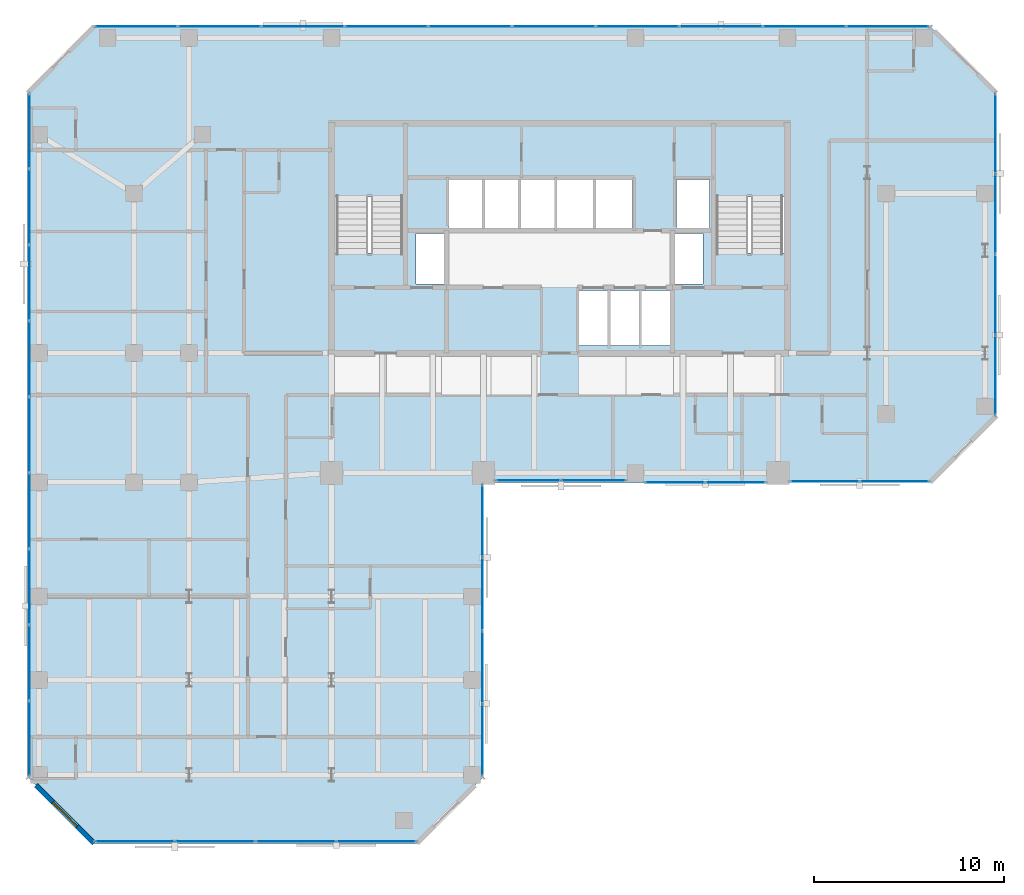
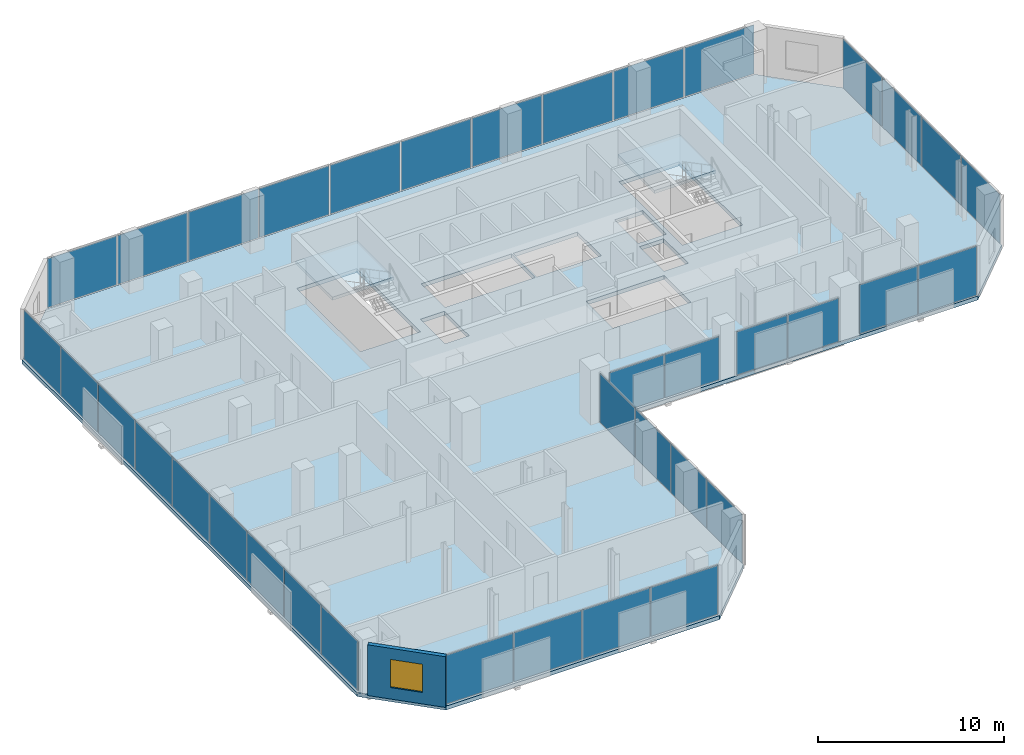
# One storey, part 27 of 34: 37 plates, 3 slabs, 1 wall, 1 window, 1 opening, 10 elements without a shape of their own.
"""IFC4 building model written with IfcOpenShell, lengths in metres."""

from ifc_helpers import new_model, si_unit, direction, frame, frame_2d, origin, origin_2d, place, context, subcontext, project, spatial, polyline, rectangle, outline, extrude, material, layer, layer_set, type_object, element, fill, aggregate, save


model = new_model("IFC4")

# Units and contexts
model_context = context("Model", 3, precision=1e-05, world=origin(), true_north=direction((0.0, 1.0)))
body_context = subcontext(model_context, "Body", "Model", "MODEL_VIEW")
ifc_project = project(units=[si_unit("LENGTHUNIT", "METRE"), si_unit("AREAUNIT", "SQUARE_METRE"), si_unit("VOLUMEUNIT", "CUBIC_METRE"), si_unit("PLANEANGLEUNIT", "RADIAN"), si_unit("MASSUNIT", "GRAM", prefix="KILO")], contexts=[model_context])

# Site, building, storey
site_placement = place(None, origin())
site = spatial("IfcSite", under=ifc_project, at=site_placement, CompositionType="ELEMENT")
building_placement = place(site_placement, origin())
building = spatial("IfcBuilding", under=site, at=building_placement, Name="Catumbela Crestline Tower", CompositionType="ELEMENT")
storey_placement = place(building_placement, frame((0.0, 0.0, 115.2)))
storey = spatial("IfcBuildingStorey", under=building, at=storey_placement, Name="L29", CompositionType="ELEMENT", Elevation=115.2)

# Curtain wall, plates
ifc_material_1 = material(Name="Aluminium alloy AW-6060-T66", Category="aluminium")
ifc_layer_1 = layer(ifc_material_1, 0.18, Name="Aluminium alloy AW-6060-T66")
ifc_layer_set_1 = layer_set([ifc_layer_1], Name="Aluminium alloy AW-6060-T66")
curtain_wall_type = type_object("IfcCurtainWallType", Name="CWU-Z2", PredefinedType="USERDEFINED", material=ifc_layer_set_1)
curtain_wall_1_placement = place(storey_placement, origin())
curtain_wall_1 = element("IfcCurtainWall", 1, at=curtain_wall_1_placement, inside=storey, type_object=curtain_wall_type, Name="L29 Unitised Curtain Wall CW-L29-E0S1", ObjectType="UNITISED", PredefinedType="USERDEFINED")
ifc_material_2 = material(Name="Low-E laminated solar-control double glazing", Category="glass")
ifc_layer_2 = layer(ifc_material_2, 0.036, Name="Low-E laminated solar-control double glazing")
ifc_layer_set_2 = layer_set([ifc_layer_2], Name="Low-E laminated solar-control double glazing")
plate_type = type_object("IfcPlateType", Name="PNL-GLZ-Z2", PredefinedType="CURTAIN_PANEL", material=ifc_layer_set_2)
plate_1_placement = place(storey_placement, frame((5.6412, 5.1, 0.06), z_axis=(0.0, 0.0, 1.0), x_axis=(1.0, 0.0, 0.0)))
plate_1 = element("IfcPlate", 2, at=plate_1_placement, type_object=plate_type, Name="CWU-Z2 panel 1.1", PredefinedType="CURTAIN_PANEL", context=body_context, shape_type="SweptSolid", body=[
    extrude(rectangle(XDim=4.1525, YDim=0.034, at=origin_2d()), origin(), (0.0, 0.0, 1.0), 3.21),
])
plate_2_placement = place(storey_placement, frame((9.875, 5.1, 0.06), z_axis=(0.0, 0.0, 1.0), x_axis=(1.0, 0.0, 0.0)))
plate_2 = element("IfcPlate", 3, at=plate_2_placement, type_object=plate_type, Name="CWU-Z2 panel 2.1", PredefinedType="CURTAIN_PANEL", context=body_context, shape_type="SweptSolid", body=[
    extrude(rectangle(XDim=4.185, YDim=0.034, at=origin_2d()), origin(), (0.0, 0.0, 1.0), 3.21),
])
plate_3_placement = place(storey_placement, frame((14.125, 5.1, 0.06), z_axis=(0.0, 0.0, 1.0), x_axis=(1.0, 0.0, 0.0)))
plate_3 = element("IfcPlate", 4, at=plate_3_placement, type_object=plate_type, Name="CWU-Z2 panel 3.1", PredefinedType="CURTAIN_PANEL", context=body_context, shape_type="SweptSolid", body=[
    extrude(rectangle(XDim=4.185, YDim=0.034, at=origin_2d()), origin(), (0.0, 0.0, 1.0), 3.21),
])
plate_4_placement = place(storey_placement, frame((18.3588, 5.1, 0.06), z_axis=(0.0, 0.0, 1.0), x_axis=(1.0, 0.0, 0.0)))
plate_4 = element("IfcPlate", 5, at=plate_4_placement, type_object=plate_type, Name="CWU-Z2 panel 4.1", PredefinedType="CURTAIN_PANEL", context=body_context, shape_type="SweptSolid", body=[
    extrude(rectangle(XDim=4.1525, YDim=0.034, at=origin_2d()), origin(), (0.0, 0.0, 1.0), 3.21),
])
aggregate(curtain_wall_1, [plate_1, plate_2, plate_3, plate_4])

curtain_wall_2_placement = place(storey_placement, origin())
curtain_wall_2 = element("IfcCurtainWall", 6, at=curtain_wall_2_placement, inside=storey, type_object=curtain_wall_type, Name="L29 Unitised Curtain Wall CW-L29-E2S1", ObjectType="UNITISED", PredefinedType="USERDEFINED")
plate_5_placement = place(storey_placement, frame((23.95, 10.4412, 0.06), z_axis=(0.0, 0.0, 1.0), x_axis=(0.0, 1.0, 0.0)))
plate_5 = element("IfcPlate", 7, at=plate_5_placement, type_object=plate_type, Name="CWU-Z2 panel 1.1", PredefinedType="CURTAIN_PANEL", context=body_context, shape_type="SweptSolid", body=[
    extrude(rectangle(XDim=3.7525, YDim=0.034, at=origin_2d()), origin(), (0.0, 0.0, 1.0), 3.21),
])
plate_6_placement = place(storey_placement, frame((23.95, 14.275, 0.06), z_axis=(0.0, 0.0, 1.0), x_axis=(0.0, 1.0, 0.0)))
plate_6 = element("IfcPlate", 8, at=plate_6_placement, type_object=plate_type, Name="CWU-Z2 panel 2.1", PredefinedType="CURTAIN_PANEL", context=body_context, shape_type="SweptSolid", body=[
    extrude(rectangle(XDim=3.785, YDim=0.034, at=origin_2d()), origin(), (0.0, 0.0, 1.0), 3.21),
])
plate_7_placement = place(storey_placement, frame((23.95, 18.125, 0.06), z_axis=(0.0, 0.0, 1.0), x_axis=(0.0, 1.0, 0.0)))
plate_7 = element("IfcPlate", 9, at=plate_7_placement, type_object=plate_type, Name="CWU-Z2 panel 3.1", PredefinedType="CURTAIN_PANEL", context=body_context, shape_type="SweptSolid", body=[
    extrude(rectangle(XDim=3.785, YDim=0.034, at=origin_2d()), origin(), (0.0, 0.0, 1.0), 3.21),
])
plate_8_placement = place(storey_placement, frame((23.95, 21.9587, 0.06), z_axis=(0.0, 0.0, 1.0), x_axis=(0.0, 1.0, 0.0)))
plate_8 = element("IfcPlate", 10, at=plate_8_placement, type_object=plate_type, Name="CWU-Z2 panel 4.1", PredefinedType="CURTAIN_PANEL", context=body_context, shape_type="SweptSolid", body=[
    extrude(rectangle(XDim=3.7525, YDim=0.034, at=origin_2d()), origin(), (0.0, 0.0, 1.0), 3.21),
])
aggregate(curtain_wall_2, [plate_5, plate_6, plate_7, plate_8])

curtain_wall_3_placement = place(storey_placement, origin())
curtain_wall_3 = element("IfcCurtainWall", 11, at=curtain_wall_3_placement, inside=storey, type_object=curtain_wall_type, Name="L29 Unitised Curtain Wall CW-L29-E3S1", ObjectType="UNITISED", PredefinedType="USERDEFINED")
plate_9_placement = place(storey_placement, frame((26.3538, 24.1, 0.06), z_axis=(0.0, 0.0, 1.0), x_axis=(1.0, 0.0, 0.0)))
plate_9 = element("IfcPlate", 12, at=plate_9_placement, type_object=plate_type, Name="CWU-Z2 panel 1.1", PredefinedType="CURTAIN_PANEL", context=body_context, shape_type="SweptSolid", body=[
    extrude(rectangle(XDim=3.3775, YDim=0.034, at=origin_2d()), origin(), (0.0, 0.0, 1.0), 2.84),
])
plate_10_placement = place(storey_placement, frame((29.7962, 24.1, 0.06), z_axis=(0.0, 0.0, 1.0), x_axis=(1.0, 0.0, 0.0)))
plate_10 = element("IfcPlate", 13, at=plate_10_placement, type_object=plate_type, Name="CWU-Z2 panel 2.1", PredefinedType="CURTAIN_PANEL", context=body_context, shape_type="SweptSolid", body=[
    extrude(rectangle(XDim=3.3775, YDim=0.034, at=origin_2d()), origin(), (0.0, 0.0, 1.0), 2.84),
])
aggregate(curtain_wall_3, [plate_9, plate_10])

curtain_wall_4_placement = place(storey_placement, origin())
curtain_wall_4 = element("IfcCurtainWall", 14, at=curtain_wall_4_placement, inside=storey, type_object=curtain_wall_type, Name="L29 Unitised Curtain Wall CW-L29-E3S2", ObjectType="UNITISED", PredefinedType="USERDEFINED")
plate_11_placement = place(storey_placement, frame((34.0788, 24.0, 0.06), z_axis=(0.0, 0.0, 1.0), x_axis=(1.0, 0.0, 0.0)))
plate_11 = element("IfcPlate", 15, at=plate_11_placement, type_object=plate_type, Name="CWU-Z2 panel 1.1", PredefinedType="CURTAIN_PANEL", context=body_context, shape_type="SweptSolid", body=[
    extrude(rectangle(XDim=3.1275, YDim=0.034, at=origin_2d()), origin(), (0.0, 0.0, 1.0), 2.84),
])
plate_12_placement = place(storey_placement, frame((37.2712, 24.0, 0.06), z_axis=(0.0, 0.0, 1.0), x_axis=(1.0, 0.0, 0.0)))
plate_12 = element("IfcPlate", 16, at=plate_12_placement, type_object=plate_type, Name="CWU-Z2 panel 2.1", PredefinedType="CURTAIN_PANEL", context=body_context, shape_type="SweptSolid", body=[
    extrude(rectangle(XDim=3.1275, YDim=0.034, at=origin_2d()), origin(), (0.0, 0.0, 1.0), 2.84),
])
aggregate(curtain_wall_4, [plate_11, plate_12])

curtain_wall_5_placement = place(storey_placement, origin())
curtain_wall_5 = element("IfcCurtainWall", 17, at=curtain_wall_5_placement, inside=storey, type_object=curtain_wall_type, Name="L29 Unitised Curtain Wall CW-L29-E3S3", ObjectType="UNITISED", PredefinedType="USERDEFINED")
plate_13_placement = place(storey_placement, frame((41.9662, 24.05, 0.06), z_axis=(0.0, 0.0, 1.0), x_axis=(1.0, 0.0, 0.0)))
plate_13 = element("IfcPlate", 18, at=plate_13_placement, type_object=plate_type, Name="CWU-Z2 panel 1.1", PredefinedType="CURTAIN_PANEL", context=body_context, shape_type="SweptSolid", body=[
    extrude(rectangle(XDim=3.6025, YDim=0.034, at=origin_2d()), origin(), (0.0, 0.0, 1.0), 3.21),
])
plate_14_placement = place(storey_placement, frame((45.6338, 24.05, 0.06), z_axis=(0.0, 0.0, 1.0), x_axis=(1.0, 0.0, 0.0)))
plate_14 = element("IfcPlate", 19, at=plate_14_placement, type_object=plate_type, Name="CWU-Z2 panel 2.1", PredefinedType="CURTAIN_PANEL", context=body_context, shape_type="SweptSolid", body=[
    extrude(rectangle(XDim=3.6025, YDim=0.034, at=origin_2d()), origin(), (0.0, 0.0, 1.0), 3.21),
])
aggregate(curtain_wall_5, [plate_13, plate_14])

curtain_wall_6_placement = place(storey_placement, origin())
curtain_wall_6 = element("IfcCurtainWall", 20, at=curtain_wall_6_placement, inside=storey, type_object=curtain_wall_type, Name="L29 Unitised Curtain Wall CW-L29-E5S1", ObjectType="UNITISED", PredefinedType="USERDEFINED")
plate_15_placement = place(storey_placement, frame((50.95, 29.6412, 0.06), z_axis=(0.0, 0.0, 1.0), x_axis=(0.0, 1.0, 0.0)))
plate_15 = element("IfcPlate", 21, at=plate_15_placement, type_object=plate_type, Name="CWU-Z2 panel 1.1", PredefinedType="CURTAIN_PANEL", context=body_context, shape_type="SweptSolid", body=[
    extrude(rectangle(XDim=4.1525, YDim=0.034, at=origin_2d()), origin(), (0.0, 0.0, 1.0), 3.21),
])
plate_16_placement = place(storey_placement, frame((50.95, 33.875, 0.06), z_axis=(0.0, 0.0, 1.0), x_axis=(0.0, 1.0, 0.0)))
plate_16 = element("IfcPlate", 22, at=plate_16_placement, type_object=plate_type, Name="CWU-Z2 panel 2.1", PredefinedType="CURTAIN_PANEL", context=body_context, shape_type="SweptSolid", body=[
    extrude(rectangle(XDim=4.185, YDim=0.034, at=origin_2d()), origin(), (0.0, 0.0, 1.0), 3.21),
])
plate_17_placement = place(storey_placement, frame((50.95, 38.125, 0.06), z_axis=(0.0, 0.0, 1.0), x_axis=(0.0, 1.0, 0.0)))
plate_17 = element("IfcPlate", 23, at=plate_17_placement, type_object=plate_type, Name="CWU-Z2 panel 3.1", PredefinedType="CURTAIN_PANEL", context=body_context, shape_type="SweptSolid", body=[
    extrude(rectangle(XDim=4.185, YDim=0.034, at=origin_2d()), origin(), (0.0, 0.0, 1.0), 3.21),
])
plate_18_placement = place(storey_placement, frame((50.95, 42.3588, 0.06), z_axis=(0.0, 0.0, 1.0), x_axis=(0.0, 1.0, 0.0)))
plate_18 = element("IfcPlate", 24, at=plate_18_placement, type_object=plate_type, Name="CWU-Z2 panel 4.1", PredefinedType="CURTAIN_PANEL", context=body_context, shape_type="SweptSolid", body=[
    extrude(rectangle(XDim=4.1525, YDim=0.034, at=origin_2d()), origin(), (0.0, 0.0, 1.0), 3.21),
])
aggregate(curtain_wall_6, [plate_15, plate_16, plate_17, plate_18])

curtain_wall_7_placement = place(storey_placement, origin())
curtain_wall_7 = element("IfcCurtainWall", 25, at=curtain_wall_7_placement, inside=storey, type_object=curtain_wall_type, Name="L29 Unitised Curtain Wall CW-L29-E7S1", ObjectType="UNITISED", PredefinedType="USERDEFINED")
plate_19_placement = place(storey_placement, frame((45.2838, 48.0, 0.06), z_axis=(0.0, 0.0, 1.0), x_axis=(-1.0, 0.0, 0.0)))
plate_19 = element("IfcPlate", 26, at=plate_19_placement, type_object=plate_type, Name="CWU-Z2 panel 1.1", PredefinedType="CURTAIN_PANEL", context=body_context, shape_type="SweptSolid", body=[
    extrude(rectangle(XDim=4.3025, YDim=0.034, at=origin_2d()), origin(), (0.0, 0.0, 1.0), 3.21),
])
plate_20_placement = place(storey_placement, frame((40.9, 48.0, 0.06), z_axis=(0.0, 0.0, 1.0), x_axis=(-1.0, 0.0, 0.0)))
plate_20 = element("IfcPlate", 27, at=plate_20_placement, type_object=plate_type, Name="CWU-Z2 panel 2.1", PredefinedType="CURTAIN_PANEL", context=body_context, shape_type="SweptSolid", body=[
    extrude(rectangle(XDim=4.335, YDim=0.034, at=origin_2d()), origin(), (0.0, 0.0, 1.0), 3.21),
])
plate_21_placement = place(storey_placement, frame((36.5, 48.0, 0.06), z_axis=(0.0, 0.0, 1.0), x_axis=(-1.0, 0.0, 0.0)))
plate_21 = element("IfcPlate", 28, at=plate_21_placement, type_object=plate_type, Name="CWU-Z2 panel 3.1", PredefinedType="CURTAIN_PANEL", context=body_context, shape_type="SweptSolid", body=[
    extrude(rectangle(XDim=4.335, YDim=0.034, at=origin_2d()), origin(), (0.0, 0.0, 1.0), 3.21),
])
plate_22_placement = place(storey_placement, frame((32.1, 48.0, 0.06), z_axis=(0.0, 0.0, 1.0), x_axis=(-1.0, 0.0, 0.0)))
plate_22 = element("IfcPlate", 29, at=plate_22_placement, type_object=plate_type, Name="CWU-Z2 panel 4.1", PredefinedType="CURTAIN_PANEL", context=body_context, shape_type="SweptSolid", body=[
    extrude(rectangle(XDim=4.335, YDim=0.034, at=origin_2d()), origin(), (0.0, 0.0, 1.0), 3.21),
])
plate_23_placement = place(storey_placement, frame((27.7, 48.0, 0.06), z_axis=(0.0, 0.0, 1.0), x_axis=(-1.0, 0.0, 0.0)))
plate_23 = element("IfcPlate", 30, at=plate_23_placement, type_object=plate_type, Name="CWU-Z2 panel 5.1", PredefinedType="CURTAIN_PANEL", context=body_context, shape_type="SweptSolid", body=[
    extrude(rectangle(XDim=4.335, YDim=0.034, at=origin_2d()), origin(), (0.0, 0.0, 1.0), 3.21),
])
plate_24_placement = place(storey_placement, frame((23.3, 48.0, 0.06), z_axis=(0.0, 0.0, 1.0), x_axis=(-1.0, 0.0, 0.0)))
plate_24 = element("IfcPlate", 31, at=plate_24_placement, type_object=plate_type, Name="CWU-Z2 panel 6.1", PredefinedType="CURTAIN_PANEL", context=body_context, shape_type="SweptSolid", body=[
    extrude(rectangle(XDim=4.335, YDim=0.034, at=origin_2d()), origin(), (0.0, 0.0, 1.0), 3.21),
])
plate_25_placement = place(storey_placement, frame((18.9, 48.0, 0.06), z_axis=(0.0, 0.0, 1.0), x_axis=(-1.0, 0.0, 0.0)))
plate_25 = element("IfcPlate", 32, at=plate_25_placement, type_object=plate_type, Name="CWU-Z2 panel 7.1", PredefinedType="CURTAIN_PANEL", context=body_context, shape_type="SweptSolid", body=[
    extrude(rectangle(XDim=4.335, YDim=0.034, at=origin_2d()), origin(), (0.0, 0.0, 1.0), 3.21),
])
plate_26_placement = place(storey_placement, frame((14.5, 48.0, 0.06), z_axis=(0.0, 0.0, 1.0), x_axis=(-1.0, 0.0, 0.0)))
plate_26 = element("IfcPlate", 33, at=plate_26_placement, type_object=plate_type, Name="CWU-Z2 panel 8.1", PredefinedType="CURTAIN_PANEL", context=body_context, shape_type="SweptSolid", body=[
    extrude(rectangle(XDim=4.335, YDim=0.034, at=origin_2d()), origin(), (0.0, 0.0, 1.0), 3.21),
])
plate_27_placement = place(storey_placement, frame((10.1, 48.0, 0.06), z_axis=(0.0, 0.0, 1.0), x_axis=(-1.0, 0.0, 0.0)))
plate_27 = element("IfcPlate", 34, at=plate_27_placement, type_object=plate_type, Name="CWU-Z2 panel 9.1", PredefinedType="CURTAIN_PANEL", context=body_context, shape_type="SweptSolid", body=[
    extrude(rectangle(XDim=4.335, YDim=0.034, at=origin_2d()), origin(), (0.0, 0.0, 1.0), 3.21),
])
plate_28_placement = place(storey_placement, frame((5.7162, 48.0, 0.06), z_axis=(0.0, 0.0, 1.0), x_axis=(-1.0, 0.0, 0.0)))
plate_28 = element("IfcPlate", 35, at=plate_28_placement, type_object=plate_type, Name="CWU-Z2 panel 10.1", PredefinedType="CURTAIN_PANEL", context=body_context, shape_type="SweptSolid", body=[
    extrude(rectangle(XDim=4.3025, YDim=0.034, at=origin_2d()), origin(), (0.0, 0.0, 1.0), 3.21),
])
aggregate(curtain_wall_7, [plate_19, plate_20, plate_21, plate_22, plate_23, plate_24, plate_25, plate_26, plate_27, plate_28])

curtain_wall_8_placement = place(storey_placement, origin())
curtain_wall_8 = element("IfcCurtainWall", 36, at=curtain_wall_8_placement, inside=storey, type_object=curtain_wall_type, Name="L29 Unitised Curtain Wall CW-L29-E9S1", ObjectType="UNITISED", PredefinedType="USERDEFINED")
plate_29_placement = place(storey_placement, frame((0.1, 42.4838, 0.06), z_axis=(0.0, 0.0, 1.0), x_axis=(0.0, -1.0, 0.0)))
plate_29 = element("IfcPlate", 37, at=plate_29_placement, type_object=plate_type, Name="CWU-Z2 panel 1.1", PredefinedType="CURTAIN_PANEL", context=body_context, shape_type="SweptSolid", body=[
    extrude(rectangle(XDim=3.9025, YDim=0.034, at=origin_2d()), origin(), (0.0, 0.0, 1.0), 3.21),
])
plate_30_placement = place(storey_placement, frame((0.1, 38.5, 0.06), z_axis=(0.0, 0.0, 1.0), x_axis=(0.0, -1.0, 0.0)))
plate_30 = element("IfcPlate", 38, at=plate_30_placement, type_object=plate_type, Name="CWU-Z2 panel 2.1", PredefinedType="CURTAIN_PANEL", context=body_context, shape_type="SweptSolid", body=[
    extrude(rectangle(XDim=3.935, YDim=0.034, at=origin_2d()), origin(), (0.0, 0.0, 1.0), 3.21),
])
plate_31_placement = place(storey_placement, frame((0.1, 34.5, 0.06), z_axis=(0.0, 0.0, 1.0), x_axis=(0.0, -1.0, 0.0)))
plate_31 = element("IfcPlate", 39, at=plate_31_placement, type_object=plate_type, Name="CWU-Z2 panel 3.1", PredefinedType="CURTAIN_PANEL", context=body_context, shape_type="SweptSolid", body=[
    extrude(rectangle(XDim=3.935, YDim=0.034, at=origin_2d()), origin(), (0.0, 0.0, 1.0), 3.21),
])
plate_32_placement = place(storey_placement, frame((0.1, 30.5, 0.06), z_axis=(0.0, 0.0, 1.0), x_axis=(0.0, -1.0, 0.0)))
plate_32 = element("IfcPlate", 40, at=plate_32_placement, type_object=plate_type, Name="CWU-Z2 panel 4.1", PredefinedType="CURTAIN_PANEL", context=body_context, shape_type="SweptSolid", body=[
    extrude(rectangle(XDim=3.935, YDim=0.034, at=origin_2d()), origin(), (0.0, 0.0, 1.0), 3.21),
])
plate_33_placement = place(storey_placement, frame((0.1, 26.5, 0.06), z_axis=(0.0, 0.0, 1.0), x_axis=(0.0, -1.0, 0.0)))
plate_33 = element("IfcPlate", 41, at=plate_33_placement, type_object=plate_type, Name="CWU-Z2 panel 5.1", PredefinedType="CURTAIN_PANEL", context=body_context, shape_type="SweptSolid", body=[
    extrude(rectangle(XDim=3.935, YDim=0.034, at=origin_2d()), origin(), (0.0, 0.0, 1.0), 3.21),
])
plate_34_placement = place(storey_placement, frame((0.1, 22.5, 0.06), z_axis=(0.0, 0.0, 1.0), x_axis=(0.0, -1.0, 0.0)))
plate_34 = element("IfcPlate", 42, at=plate_34_placement, type_object=plate_type, Name="CWU-Z2 panel 6.1", PredefinedType="CURTAIN_PANEL", context=body_context, shape_type="SweptSolid", body=[
    extrude(rectangle(XDim=3.935, YDim=0.034, at=origin_2d()), origin(), (0.0, 0.0, 1.0), 3.21),
])
plate_35_placement = place(storey_placement, frame((0.1, 18.5, 0.06), z_axis=(0.0, 0.0, 1.0), x_axis=(0.0, -1.0, 0.0)))
plate_35 = element("IfcPlate", 43, at=plate_35_placement, type_object=plate_type, Name="CWU-Z2 panel 7.1", PredefinedType="CURTAIN_PANEL", context=body_context, shape_type="SweptSolid", body=[
    extrude(rectangle(XDim=3.935, YDim=0.034, at=origin_2d()), origin(), (0.0, 0.0, 1.0), 3.21),
])
plate_36_placement = place(storey_placement, frame((0.1, 14.5, 0.06), z_axis=(0.0, 0.0, 1.0), x_axis=(0.0, -1.0, 0.0)))
plate_36 = element("IfcPlate", 44, at=plate_36_placement, type_object=plate_type, Name="CWU-Z2 panel 8.1", PredefinedType="CURTAIN_PANEL", context=body_context, shape_type="SweptSolid", body=[
    extrude(rectangle(XDim=3.935, YDim=0.034, at=origin_2d()), origin(), (0.0, 0.0, 1.0), 3.21),
])
plate_37_placement = place(storey_placement, frame((0.1, 10.5162, 0.06), z_axis=(0.0, 0.0, 1.0), x_axis=(0.0, -1.0, 0.0)))
plate_37 = element("IfcPlate", 45, at=plate_37_placement, type_object=plate_type, Name="CWU-Z2 panel 9.1", PredefinedType="CURTAIN_PANEL", context=body_context, shape_type="SweptSolid", body=[
    extrude(rectangle(XDim=3.9025, YDim=0.034, at=origin_2d()), origin(), (0.0, 0.0, 1.0), 3.21),
])
aggregate(curtain_wall_8, [plate_29, plate_30, plate_31, plate_32, plate_33, plate_34, plate_35, plate_36, plate_37])

# Stair, slab
ifc_material_3 = material(Name="Concrete C45/55", Category="concrete")
stair_type = type_object("IfcStairType", Name="ST-DLG", PredefinedType="HALF_TURN_STAIR", material=ifc_material_3)
stair_1_placement = place(storey_placement, origin())
stair_1 = element("IfcStair", 46, at=stair_1_placement, inside=storey, type_object=stair_type, Name="L29 West Core Pressurised Exit Stair ST-01", PredefinedType="HALF_TURN_STAIR")
ifc_layer_3 = layer(ifc_material_3, 0.2, Name="Concrete C45/55")
ifc_layer_set_3 = layer_set([ifc_layer_3], Name="Concrete C45/55")
slab_type_1 = type_object("IfcSlabType", Name="SL-LND", PredefinedType="LANDING", material=ifc_layer_set_3)
slab_1_placement = place(storey_placement, frame((0.0, 0.0, 1.6)))
slab_1 = element("IfcSlab", 47, at=slab_1_placement, type_object=slab_type_1, Name="ST-01 landing 1", PredefinedType="LANDING", context=body_context, shape_type="SweptSolid", body=[
    extrude(outline(polyline([(19.91, 39.02), (19.91, 42.96), (16.09, 42.96), (16.09, 39.02), (19.91, 39.02)])), origin(), (0.0, 0.0, 1.0), 0.2),
])
aggregate(stair_1, [slab_1])

stair_2_placement = place(storey_placement, origin())
stair_2 = element("IfcStair", 48, at=stair_2_placement, inside=storey, type_object=stair_type, Name="L29 East Core Pressurised Exit Stair ST-02", PredefinedType="HALF_TURN_STAIR")
slab_2_placement = place(storey_placement, frame((0.0, 0.0, 1.6)))
slab_2 = element("IfcSlab", 49, at=slab_2_placement, type_object=slab_type_1, Name="ST-02 landing 1", PredefinedType="LANDING", context=body_context, shape_type="SweptSolid", body=[
    extrude(outline(polyline([(39.91, 39.02), (39.91, 42.96), (36.09, 42.96), (36.09, 39.02), (39.91, 39.02)])), origin(), (0.0, 0.0, 1.0), 0.2),
])
aggregate(stair_2, [slab_2])

# Slab
ifc_layer_4 = layer(ifc_material_3, 0.26, Name="Concrete C45/55")
ifc_layer_set_4 = layer_set([ifc_layer_4], Name="Concrete C45/55")
slab_type_2 = type_object("IfcSlabType", Name="SL-260", PredefinedType="FLOOR", material=ifc_layer_set_4)
slab_3_placement = place(storey_placement, frame((0.0, 0.0, -0.26)))
element("IfcSlab", 50, at=slab_3_placement, inside=storey, type_object=slab_type_2, Name="L29 Structural Floor Slab", PredefinedType="FLOOR", context=body_context, shape_type="SweptSolid", body=[
    extrude(outline(polyline([(3.5, 5.0), (20.5, 5.0), (24.0, 8.5), (24.0, 24.0), (47.5, 24.0), (51.0, 27.5), (51.0, 44.5), (47.5, 48.0), (3.5, 48.0), (0.0, 44.5), (0.0, 8.5), (3.5, 5.0)]), holes=[polyline([(16.13, 36.08), (19.87, 36.08), (19.87, 42.92), (16.13, 42.92), (16.13, 36.08)]), polyline([(36.13, 36.08), (39.87, 36.08), (39.87, 42.92), (36.13, 42.92), (36.13, 36.08)]), polyline([(29.0, 31.2), (33.85, 31.2), (33.85, 34.1), (29.0, 34.1), (29.0, 31.2)]), polyline([(22.15, 37.4), (27.75, 37.4), (27.75, 39.95), (22.15, 39.95), (22.15, 37.4)]), polyline([(27.85, 37.4), (31.85, 37.4), (31.85, 39.95), (27.85, 39.95), (27.85, 37.4)]), polyline([(20.45, 34.45), (21.95, 34.45), (21.95, 37.1), (20.45, 37.1), (20.45, 34.45)]), polyline([(34.05, 34.45), (35.55, 34.45), (35.55, 37.1), (34.05, 37.1), (34.05, 34.45)]), polyline([(34.15, 37.4), (35.9, 37.4), (35.9, 39.95), (34.15, 39.95), (34.15, 37.4)])]), origin(), (0.0, 0.0, 1.0), 0.26),
])

# Wall, opening, window
ifc_material_4 = material(Name="Angolan grey-ochre granite", Category="masonry")
ifc_layer_5 = layer(ifc_material_4, 0.25, Name="Angolan grey-ochre granite")
ifc_layer_set_5 = layer_set([ifc_layer_5], Name="Angolan grey-ochre granite")
wall_type = type_object("IfcWallType", Name="WE-250", PredefinedType="STANDARD", material=ifc_layer_set_5)
wall_placement = place(storey_placement, frame((0.4384, 8.0616, 0.0), z_axis=(0.0, 0.0, 1.0), x_axis=(0.707106781187, -0.707106781187, 0.0)))
wall = element("IfcWall", 51, at=wall_placement, inside=storey, type_object=wall_type, Name="L29 Granite Punched Window Wall 10-2", PredefinedType="STANDARD", context=body_context, shape_type="SweptSolid", body=[
    extrude(rectangle(XDim=4.3298, YDim=0.25, at=frame_2d((2.1649, 0.0))), origin(), (0.0, 0.0, 1.0), 3.33),
])
opening_placement = place(wall_placement, frame((1.2649, 0.0, 0.75)))
opening = element("IfcOpeningElement", 52, at=opening_placement, cuts=wall, Name="Opening WN-01", PredefinedType="OPENING", context=body_context, shape_type="SweptSolid", body=[
    extrude(rectangle(XDim=1.8, YDim=1.85, at=frame_2d((0.9, 0.925))), frame((0.0, 0.135, 0.0), z_axis=(0.0, -1.0, 0.0), x_axis=(1.0, 0.0, 0.0)), (0.0, 0.0, 1.0), 0.27),
])
window_type = type_object("IfcWindowType", Name="WF-1800", PartitioningType="SINGLE_PANEL", PredefinedType="WINDOW", material=ifc_material_2)
window_placement = place(opening_placement, origin())
window = element("IfcWindow", 53, at=window_placement, inside=storey, type_object=window_type, Name="L29 Facade Vision Window 169", OverallHeight=1.85, OverallWidth=1.8, PartitioningType="SINGLE_PANEL", PredefinedType="WINDOW", context=body_context, shape_type="SweptSolid", body=[
    extrude(rectangle(XDim=1.8, YDim=1.85, at=frame_2d((0.9, 0.925))), frame((0.0, 0.03, 0.0), z_axis=(0.0, -1.0, 0.0), x_axis=(1.0, 0.0, 0.0)), (0.0, 0.0, 1.0), 0.06),
])
fill(opening, window)

save(model, "model.ifc")
